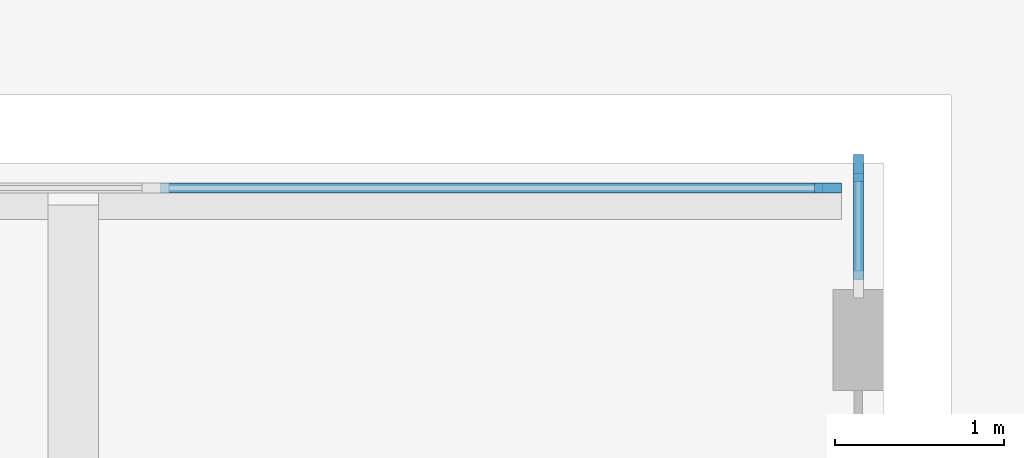
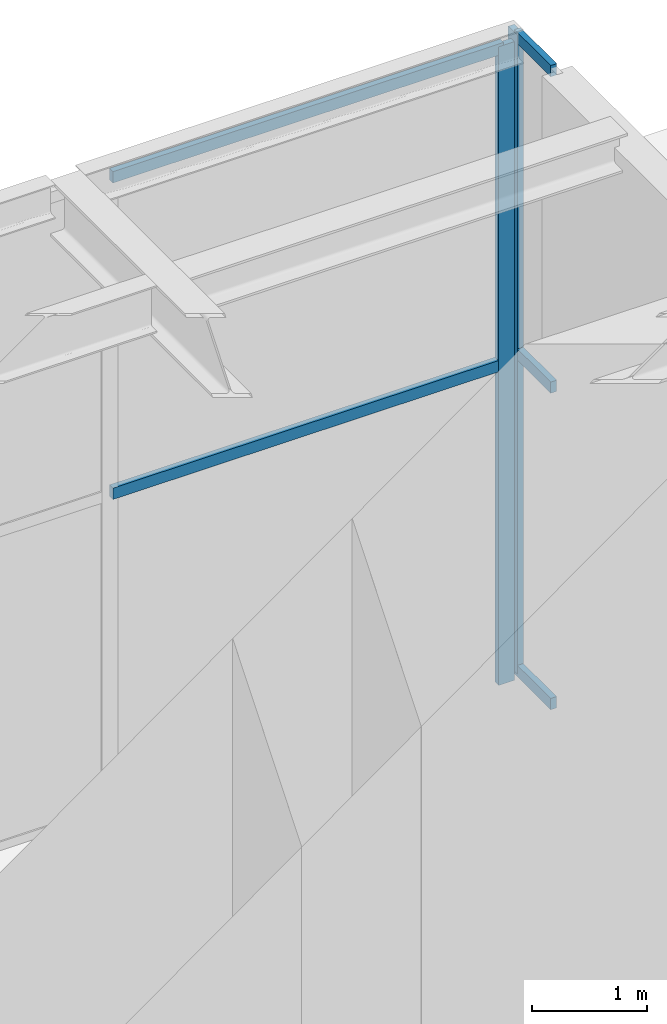
# One storey, part 23 of 43: 7 members, 2 elements without a shape of their own.
"""IFC4 building model written with IfcOpenShell, lengths in metres."""

from ifc_helpers import new_model, si_unit, direction, frame, origin, origin_2d, place, context, subcontext, project, spatial, rectangle, extrude, material, material_profile, profile_set, type_object, element, aggregate, save


model = new_model("IFC4")

# Units and contexts
model_context = context("Model", 3, precision=1e-05, world=origin(), true_north=direction((0.0, 1.0)))
body_context = subcontext(model_context, "Body", "Model", "MODEL_VIEW")
ifc_project = project(units=[si_unit("LENGTHUNIT", "METRE"), si_unit("AREAUNIT", "SQUARE_METRE"), si_unit("VOLUMEUNIT", "CUBIC_METRE"), si_unit("PLANEANGLEUNIT", "RADIAN"), si_unit("MASSUNIT", "GRAM", prefix="KILO")], contexts=[model_context])

# Site, building, storey
site_placement = place(None, origin())
site = spatial("IfcSite", under=ifc_project, at=site_placement, CompositionType="ELEMENT")
building_placement = place(site_placement, origin())
building = spatial("IfcBuilding", under=site, at=building_placement, Name="Khepri Terraces", CompositionType="ELEMENT")
storey_placement = place(building_placement, origin())
storey = spatial("IfcBuildingStorey", under=building, at=storey_placement, Name="L00", CompositionType="ELEMENT", Elevation=0.0)

# Curtain wall, member
ifc_material_1 = material(Name="Anodised aluminium bronze curtain wall", Category="aluminium")
curtain_wall_type = type_object("IfcCurtainWallType", Name="CW-SYS1-LOBBY", PredefinedType="NOTDEFINED", material=ifc_material_1)
curtain_wall_1_placement = place(storey_placement, origin())
curtain_wall_1 = element("IfcCurtainWall", 1, at=curtain_wall_1_placement, inside=storey, type_object=curtain_wall_type, Name="Curtain wall CW1 L00 E", PredefinedType="NOTDEFINED")
ifc_material_2 = material(Name="Anodised aluminium bronze", Category="aluminium")
ifc_material_profile_1 = material_profile(ifc_material_2, rectangle(XDim=0.06005859375, YDim=0.159912109375, at=origin_2d()), Name="Anodised aluminium bronze", Category="aluminium")
ifc_profile_set_1 = profile_set([ifc_material_profile_1], Name="Anodised aluminium bronze")
member_type_1 = type_object("IfcMemberType", Name="CW-MULLION-60x160", PredefinedType="MULLION", material=ifc_profile_set_1)
member_1_placement = place(storey_placement, frame((46.64990234375, 46.77001953125, 0.0), z_axis=(0.0, 0.0, 1.0), x_axis=(-1.0, 0.0, 0.0)))
member_1 = element("IfcMember", 2, at=member_1_placement, type_object=member_type_1, Name="CW1 mullion 2", PredefinedType="MULLION", context=body_context, shape_type="SweptSolid", body=[
    extrude(rectangle(XDim=0.06005859375, YDim=0.159912109375, at=origin_2d()), origin(), (0.0, 0.0, 1.0), 6.780029296875),
])

curtain_wall_2_placement = place(storey_placement, origin())
curtain_wall_2 = element("IfcCurtainWall", 3, at=curtain_wall_2_placement, inside=storey, type_object=curtain_wall_type, Name="Curtain wall CW1 L00 N", PredefinedType="NOTDEFINED")
member_2_placement = place(storey_placement, frame((46.469970703125, 46.64990234375, 0.0), z_axis=(0.0, 0.0, 1.0), x_axis=(0.0, -1.0, 0.0)))
member_2 = element("IfcMember", 4, at=member_2_placement, type_object=member_type_1, Name="CW1 mullion 1", PredefinedType="MULLION", context=body_context, shape_type="SweptSolid", body=[
    extrude(rectangle(XDim=0.06005859375, YDim=0.159912109375, at=origin_2d()), origin(), (0.0, 0.0, 1.0), 6.780029296875),
])

# Member
ifc_material_profile_2 = material_profile(ifc_material_2, rectangle(XDim=0.06005859375, YDim=0.1201171875, at=origin_2d()), Name="Anodised aluminium bronze", Category="aluminium")
ifc_profile_set_2 = profile_set([ifc_material_profile_2], Name="Anodised aluminium bronze")
member_type_2 = type_object("IfcMemberType", Name="CW-TRANSOM-60x120", PredefinedType="USERDEFINED", material=ifc_profile_set_2)
member_3_placement = place(storey_placement, frame((46.64990234375, 46.110107421875, 0.030029296875), z_axis=(0.0, 1.0, 0.0), x_axis=(-1.0, 0.0, 0.0)))
member_3 = element("IfcMember", 5, at=member_3_placement, type_object=member_type_2, Name="CW1 transom 1.1", ObjectType="TRANSOM", PredefinedType="USERDEFINED", context=body_context, shape_type="SweptSolid", body=[
    extrude(rectangle(XDim=0.06005859375, YDim=0.1201171875, at=origin_2d()), origin(), (0.0, 0.0, 1.0), 0.6298828125),
])

member_4_placement = place(storey_placement, frame((46.64990234375, 46.110107421875, 3.389892578125), z_axis=(0.0, 1.0, 0.0), x_axis=(-1.0, 0.0, 0.0)))
member_4 = element("IfcMember", 6, at=member_4_placement, type_object=member_type_2, Name="CW1 transom 1.2", ObjectType="TRANSOM", PredefinedType="USERDEFINED", context=body_context, shape_type="SweptSolid", body=[
    extrude(rectangle(XDim=0.06005859375, YDim=0.1201171875, at=origin_2d()), origin(), (0.0, 0.0, 1.0), 0.6298828125),
])

member_5_placement = place(storey_placement, frame((46.64990234375, 46.110107421875, 6.75), z_axis=(0.0, 1.0, 0.0), x_axis=(-1.0, 0.0, 0.0)))
member_5 = element("IfcMember", 7, at=member_5_placement, type_object=member_type_2, Name="CW1 transom 1.3", ObjectType="TRANSOM", PredefinedType="USERDEFINED", context=body_context, shape_type="SweptSolid", body=[
    extrude(rectangle(XDim=0.06005859375, YDim=0.1201171875, at=origin_2d()), origin(), (0.0, 0.0, 1.0), 0.6298828125),
])

aggregate(curtain_wall_1, [member_1, member_3, member_4, member_5])

member_6_placement = place(storey_placement, frame((46.43994140625, 46.64990234375, 3.389892578125), z_axis=(-1.0, 0.0, 0.0), x_axis=(0.0, -1.0, 0.0)))
member_6 = element("IfcMember", 8, at=member_6_placement, type_object=member_type_2, Name="CW1 transom 1.2", ObjectType="TRANSOM", PredefinedType="USERDEFINED", context=body_context, shape_type="SweptSolid", body=[
    extrude(rectangle(XDim=0.06005859375, YDim=0.1201171875, at=origin_2d()), origin(), (0.0, 0.0, 1.0), 3.92236328125),
])

member_7_placement = place(storey_placement, frame((46.43994140625, 46.64990234375, 6.75), z_axis=(-1.0, 0.0, 0.0), x_axis=(0.0, -1.0, 0.0)))
member_7 = element("IfcMember", 9, at=member_7_placement, type_object=member_type_2, Name="CW1 transom 1.3", ObjectType="TRANSOM", PredefinedType="USERDEFINED", context=body_context, shape_type="SweptSolid", body=[
    extrude(rectangle(XDim=0.06005859375, YDim=0.1201171875, at=origin_2d()), origin(), (0.0, 0.0, 1.0), 3.92236328125),
])

aggregate(curtain_wall_2, [member_2, member_6, member_7])

save(model, "model.ifc")
